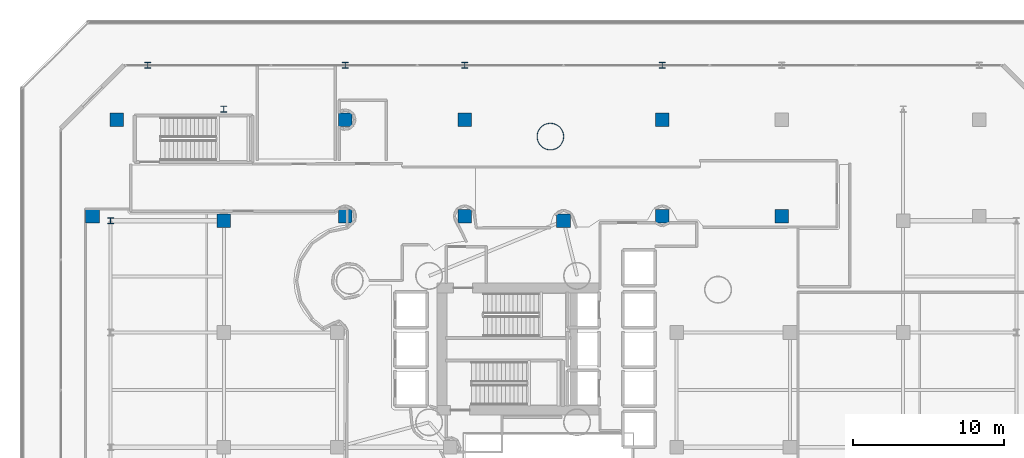
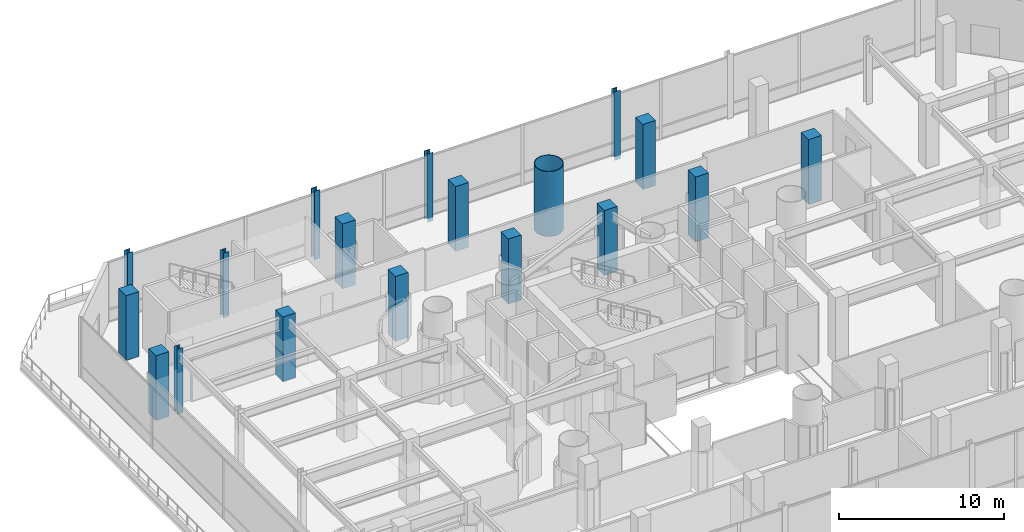
# One storey, part 3 of 39: 18 columns.
"""IFC4 building model written with IfcOpenShell, lengths in metres."""

import ifcopenshell
import ifcopenshell.guid

model = None  # the IFC model being written
_history = None  # IfcOwnerHistory: only IFC2X3 demands one
_inside = {}  # id of a spatial element -> (the spatial element, [elements in it])
_under = {}  # id of a project, library or spatial element -> (it, [spatial elements below it])
_declared = {}  # id of a project -> (the project, [libraries it declares])
_typed = {}  # id of a type object -> (the type object, [elements of that type])
_made_of = {}  # id of a material, layer set ... -> (it, [elements and type objects made of it])


def new_model(schema):
    """Start an empty IFC model of exactly this schema.

    Asked for "IFC4X3", IfcOpenShell would pick the latest addendum, in which some entities
    have other attributes; the version numbers below select the first issue.
    IFC2X3 requires an IfcOwnerHistory on every rooted entity: one is made here for all.
    """
    global model, _history
    if schema == "IFC4X3":
        model = ifcopenshell.file(schema_version=(4, 3, 0, 0))
    else:
        model = ifcopenshell.file(schema=schema)
    _inside.clear()
    _under.clear()
    _declared.clear()
    _typed.clear()
    _made_of.clear()
    _history = None
    if model.schema == "IFC2X3":
        org = make("IfcOrganization", Name="unknown")
        user = make(
            "IfcPersonAndOrganization",
            ThePerson=make("IfcPerson", FamilyName="unknown"),
            TheOrganization=org,
        )
        app = make(
            "IfcApplication",
            ApplicationDeveloper=org,
            Version="unknown",
            ApplicationFullName="unknown",
            ApplicationIdentifier="unknown",
        )
        _history = make(
            "IfcOwnerHistory",
            OwningUser=user,
            OwningApplication=app,
            ChangeAction="ADDED",
            CreationDate=0,
        )
    return model


def make(cls, **values):
    """One entity of the class cls with the attributes given. An attribute that is None is left unset."""
    return model.create_entity(
        cls, **{name: value for name, value in values.items() if value is not None}
    )


def rooted(cls, **values):
    """An entity with a GlobalId (a new one), such as an element, a storey or a relation."""
    return make(cls, GlobalId=ifcopenshell.guid.new(), OwnerHistory=_history, **values)


def si_unit(unit_type, name, prefix=None):
    """IfcSIUnit, for example si_unit("LENGTHUNIT", "METRE", prefix="MILLI")."""
    return make("IfcSIUnit", UnitType=unit_type, Prefix=prefix, Name=name)


def assignment(units):
    """IfcUnitAssignment: the units of a project."""
    return None if units is None else make("IfcUnitAssignment", Units=units)


def point(xyz):
    """IfcCartesianPoint."""
    return None if xyz is None else make("IfcCartesianPoint", Coordinates=xyz)


def direction(xyz):
    """IfcDirection."""
    return None if xyz is None else make("IfcDirection", DirectionRatios=xyz)


def frame(location, z_axis=None, x_axis=None):
    """IfcAxis2Placement3D, a coordinate frame: its origin and axes. An axis left out is left unset."""
    return make(
        "IfcAxis2Placement3D",
        Location=point(location),
        Axis=direction(z_axis),
        RefDirection=direction(x_axis),
    )


def frame_2d(location, x_axis=None):
    """IfcAxis2Placement2D, a coordinate frame in the plane: its origin and x axis."""
    return make(
        "IfcAxis2Placement2D", Location=point(location), RefDirection=direction(x_axis)
    )


def origin():
    """The frame at (0, 0, 0) with its axes left unset."""
    return frame((0.0, 0.0, 0.0))


def origin_2d():
    """The frame at (0, 0) in the plane with its x axis left unset."""
    return frame_2d((0.0, 0.0))


def place(relative_to, where):
    """IfcLocalPlacement: puts the frame where relative to a parent placement (None: the world)."""
    return make(
        "IfcLocalPlacement", PlacementRelTo=relative_to, RelativePlacement=where
    )


def context(
    kind, dimensions, precision=None, world=None, true_north=None, identifier=None
):
    """IfcGeometricRepresentationContext, for example the 3D "Model" context."""
    return make(
        "IfcGeometricRepresentationContext",
        ContextIdentifier=identifier,
        ContextType=kind,
        CoordinateSpaceDimension=dimensions,
        Precision=precision,
        WorldCoordinateSystem=world,
        TrueNorth=true_north,
    )


def subcontext(parent, identifier, kind, view, scale=None):
    """IfcGeometricRepresentationSubContext, for example "Body" below "Model"."""
    return make(
        "IfcGeometricRepresentationSubContext",
        ContextIdentifier=identifier,
        ContextType=kind,
        ParentContext=parent,
        TargetScale=scale,
        TargetView=view,
    )


def project(units=None, contexts=None):
    """IfcProject with its units and contexts."""
    return rooted(
        "IfcProject",
        Name="project",
        RepresentationContexts=contexts,
        UnitsInContext=assignment(units),
    )


def spatial(cls, under=None, at=None, **own):
    """A site, building, storey or space (cls), placed at a placement, below another one or the project."""
    s = rooted(cls, ObjectPlacement=at, **own)
    if under is not None:
        _under.setdefault(under.id(), (under, []))[1].append(s)
    return s


def profile(cls, at=None, kind="AREA", **sizes):
    """A parametric profile (cls). Its sizes go by their IFC names, for example OverallWidth=200.0."""
    return make(cls, ProfileType=kind, Position=at, **sizes)


def rectangle(**sizes):
    """IfcRectangleProfileDef."""
    return profile("IfcRectangleProfileDef", **sizes)


def hollow_circle(**sizes):
    """IfcCircleHollowProfileDef."""
    return profile("IfcCircleHollowProfileDef", **sizes)


def i_section(**sizes):
    """IfcIShapeProfileDef."""
    return profile("IfcIShapeProfileDef", **sizes)


def extrude(swept, where, along, depth):
    """IfcExtrudedAreaSolid: the profile swept, set in the frame where, extruded along a direction by depth."""
    return make(
        "IfcExtrudedAreaSolid",
        SweptArea=swept,
        Position=where,
        ExtrudedDirection=direction(along),
        Depth=depth,
    )


def shape(context_of_items, identifier, shape_type, items):
    """IfcShapeRepresentation: the items that make up one representation, for example the "Body"."""
    return make(
        "IfcShapeRepresentation",
        ContextOfItems=context_of_items,
        RepresentationIdentifier=identifier,
        RepresentationType=shape_type,
        Items=items,
    )


def material(Name=None, Category=None):
    """IfcMaterial."""
    return make("IfcMaterial", Name=Name, Category=Category)


def material_profile(
    of_material, cross_section, Name=None, Category=None, Priority=None
):
    """IfcMaterialProfile: a cross section and its material."""
    return make(
        "IfcMaterialProfile",
        Name=Name,
        Material=of_material,
        Profile=cross_section,
        Priority=Priority,
        Category=Category,
    )


def profile_set(profiles, Name=None, composite=None):
    """IfcMaterialProfileSet."""
    return make(
        "IfcMaterialProfileSet",
        Name=Name,
        MaterialProfiles=profiles,
        CompositeProfile=composite,
    )


def made_of(thing, what):
    """Note that an element or type object is made of a material, layer set ...; save() writes the relation."""
    if what is not None:
        _made_of.setdefault(what.id(), (what, []))[1].append(thing)
    return thing


def type_object(cls, material=None, **own):
    """A type object (cls), such as IfcWallType, which elements share."""
    return made_of(rooted(cls, **own), material)


def element(
    cls,
    number,
    at=None,
    inside=None,
    cuts=None,
    type_object=None,
    material=None,
    context=None,
    identifier="Body",
    shape_type=None,
    held_by="IfcProductDefinitionShape",
    body=None,
    shapes=None,
    **own,
):
    """One element of the class cls, such as IfcWall. Its Tag is "e" and its number.

    at: its placement. inside: the storey or other place that contains it. cuts: it is an
    opening in that element (IfcRelVoidsElement). A single representation is given by context,
    identifier, shape_type and body (its items); several are given by shapes. held_by: the class
    of the entity that holds the representations. save() writes the other relations.
    """
    e = rooted(cls, Tag="e%d" % number, ObjectPlacement=at, **own)
    if body is not None:
        shapes = [shape(context, identifier, shape_type, body)]
    if shapes is not None:
        e.Representation = make(held_by, Representations=shapes)
    if inside is not None:
        _inside.setdefault(inside.id(), (inside, []))[1].append(e)
    if cuts is not None:
        rooted(
            "IfcRelVoidsElement", RelatingBuildingElement=cuts, RelatedOpeningElement=e
        )
    if type_object is not None:
        _typed.setdefault(type_object.id(), (type_object, []))[1].append(e)
    return made_of(e, material)


def aggregate(whole, parts):
    """IfcRelAggregates: a whole, such as a stair, and the parts it consists of."""
    return rooted("IfcRelAggregates", RelatingObject=whole, RelatedObjects=parts)


def save(model, path):
    """Write the relations noted so far, then the file.

    IfcRelAggregates (storeys below a building ...), IfcRelContainedInSpatialStructure (elements
    in a storey), IfcRelDefinesByType, IfcRelAssociatesMaterial and IfcRelDeclares: one each for
    every whole, place, type object, material and project.
    """
    for whole, parts in _under.values():
        aggregate(whole, parts)
    for where, things in _inside.values():
        rooted(
            "IfcRelContainedInSpatialStructure",
            RelatedElements=things,
            RelatingStructure=where,
        )
    for kind, things in _typed.values():
        rooted("IfcRelDefinesByType", RelatedObjects=things, RelatingType=kind)
    for what, things in _made_of.values():
        rooted("IfcRelAssociatesMaterial", RelatedObjects=things, RelatingMaterial=what)
    for by, libraries in _declared.values():
        rooted("IfcRelDeclares", RelatingContext=by, RelatedDefinitions=libraries)
    model.write(path)


model = new_model("IFC4")

# Units and contexts
model_context = context("Model", 3, precision=1e-05, world=origin(), true_north=direction((0.0, 1.0)))
body_context = subcontext(model_context, "Body", "Model", "MODEL_VIEW")
ifc_project = project(units=[si_unit("LENGTHUNIT", "METRE"), si_unit("AREAUNIT", "SQUARE_METRE"), si_unit("VOLUMEUNIT", "CUBIC_METRE"), si_unit("PLANEANGLEUNIT", "RADIAN"), si_unit("MASSUNIT", "GRAM", prefix="KILO")], contexts=[model_context])

# Site, building, storey
site_placement = place(None, origin())
site = spatial("IfcSite", under=ifc_project, at=site_placement, CompositionType="ELEMENT")
building_placement = place(site_placement, origin())
building = spatial("IfcBuilding", under=site, at=building_placement, Name="Qianvela Tower", CompositionType="ELEMENT")
storey_placement = place(building_placement, frame((0.0, 0.0, 15.800048828125)))
storey = spatial("IfcBuildingStorey", under=building, at=storey_placement, Name="L03", CompositionType="ELEMENT", Elevation=15.800048828125)

# Columns
ifc_material_1 = material(Name="Steel Q420GJC", Category="steel")
ifc_material_profile_1 = material_profile(ifc_material_1, hollow_circle(Radius=0.89990234375, WallThickness=0.044921875, at=origin_2d()), Name="CFT-1800x45")
ifc_profile_set_1 = profile_set([ifc_material_profile_1], Name="Steel Q420GJC")
column_type_1 = type_object("IfcColumnType", Name="COL-CFT-1800x45", PredefinedType="COLUMN", material=ifc_profile_set_1)
column_placement = place(storey_placement, frame((36.632080078125, 42.778076171875, 0.0), z_axis=(0.0, 0.0, 1.0), x_axis=(1.0, 0.0, 0.0)))
element("IfcColumn", 1, at=column_placement, inside=storey, type_object=column_type_1, Name="L03 Tower Base CFT Mega-Column C3", PredefinedType="COLUMN", context=body_context, shape_type="SweptSolid", body=[
    extrude(hollow_circle(Radius=0.89990234375, WallThickness=0.044921875, at=origin_2d()), origin(), (0.0, 0.0, 1.0), 4.800048828125),
])
ifc_material_2 = material(Name="Steel Q355B", Category="steel")
ifc_material_profile_2 = material_profile(ifc_material_2, i_section(OverallWidth=0.39990234375, OverallDepth=0.39990234375, WebThickness=0.012939453125, FlangeThickness=0.02099609375, at=origin_2d()), Name="HW400x400x13x21")
ifc_profile_set_2 = profile_set([ifc_material_profile_2], Name="Steel Q355B")
column_type_2 = type_object("IfcColumnType", Name="COL-HW-400", PredefinedType="COLUMN", material=ifc_profile_set_2)
for number, where, z_axis, x_axis, name in (
    (2, (7.5, 37.199951171875, 0.0), (0.0, 0.0, 1.0), (1.0, 0.0, 0.0), "L03 Podium Grid Column P04"),
    (3, (15.0, 44.60009765625, 0.0), (0.0, 0.0, 1.0), (1.0, 0.0, 0.0), "L03 Podium Grid Column P10"),
):
    element("IfcColumn", number, at=place(storey_placement, frame(where, z_axis=z_axis, x_axis=x_axis)), inside=storey, type_object=column_type_2, Name=name, PredefinedType="COLUMN", context=body_context, shape_type="SweptSolid", body=[
        extrude(i_section(OverallWidth=0.39990234375, OverallDepth=0.39990234375, WebThickness=0.012939453125, FlangeThickness=0.02099609375, at=origin_2d()), origin(), (0.0, 0.0, 1.0), 4.800048828125),
    ])
for number, where, z_axis, x_axis, name in (
    (4, (9.955322265625, 47.5, -0.27001953125), (0.0, 0.0, 1.0), (1.0, 0.0, 0.0), "L03 V-Column Transfer Post VC-N1-L"),
    (5, (23.044677734375, 47.5, -0.27001953125), (0.0, 0.0, 1.0), (1.0, 0.0, 0.0), "L03 V-Column Transfer Post VC-N1-R"),
    (6, (30.955322265625, 47.5, -0.27001953125), (0.0, 0.0, 1.0), (1.0, 0.0, 0.0), "L03 V-Column Transfer Post VC-N2-L"),
    (7, (44.044677734375, 47.5, -0.27001953125), (0.0, 0.0, 1.0), (1.0, 0.0, 0.0), "L03 V-Column Transfer Post VC-N2-R"),
):
    element("IfcColumn", number, at=place(storey_placement, frame(where, z_axis=z_axis, x_axis=x_axis)), inside=storey, type_object=column_type_2, Name=name, PredefinedType="COLUMN", context=body_context, shape_type="SweptSolid", body=[
        extrude(i_section(OverallWidth=0.39990234375, OverallDepth=0.39990234375, WebThickness=0.012939453125, FlangeThickness=0.02099609375, at=origin_2d()), origin(), (0.0, 0.0, 1.0), 5.070068359375),
    ])
ifc_material_3 = material(Name="Concrete C60", Category="concrete")
ifc_material_profile_3 = material_profile(ifc_material_3, rectangle(XDim=0.89990234375, YDim=0.89990234375, at=origin_2d()), Name="RC-COL-900x900")
ifc_profile_set_3 = profile_set([ifc_material_profile_3], Name="Concrete C60")
column_type_3 = type_object("IfcColumnType", Name="COL-RC-900", PredefinedType="COLUMN", material=ifc_profile_set_3)
for number, where, z_axis, x_axis, name in (
    (8, (7.89990234375, 43.89990234375, 0.0), (0.0, 0.0, 1.0), (1.0, 0.0, 0.0), "L03 Concourse Colonnade Column VC-N1-L-B1"),
    (9, (6.300048828125, 37.5, 0.0), (0.0, 0.0, 1.0), (1.0, 0.0, 0.0), "L03 Concourse Colonnade Column VC-N1-L-B2"),
    (10, (23.044677734375, 43.89990234375, 0.0), (0.0, 0.0, 1.0), (1.0, 0.0, 0.0), "L03 Concourse Colonnade Column VC-N1-R-B1"),
    (11, (23.044677734375, 37.5, 0.0), (0.0, 0.0, 1.0), (1.0, 0.0, 0.0), "L03 Concourse Colonnade Column VC-N1-R-B2"),
    (12, (30.955322265625, 43.89990234375, 0.0), (0.0, 0.0, 1.0), (1.0, 0.0, 0.0), "L03 Concourse Colonnade Column VC-N2-L-B1"),
    (13, (30.955322265625, 37.5, 0.0), (0.0, 0.0, 1.0), (1.0, 0.0, 0.0), "L03 Concourse Colonnade Column VC-N2-L-B2"),
    (14, (44.044677734375, 43.89990234375, 0.0), (0.0, 0.0, 1.0), (1.0, 0.0, 0.0), "L03 Concourse Colonnade Column VC-N2-R-B1"),
    (15, (44.044677734375, 37.5, 0.0), (0.0, 0.0, 1.0), (1.0, 0.0, 0.0), "L03 Concourse Colonnade Column VC-N2-R-B2"),
    (16, (51.955322265625, 37.5, 0.0), (0.0, 0.0, 1.0), (1.0, 0.0, 0.0), "L03 Concourse Colonnade Column VC-N3-L-B2"),
    (17, (15.0, 37.199951171875, 0.0), (0.0, 0.0, 1.0), (1.0, 0.0, 0.0), "L03 Podium Grid Column P09"),
    (18, (37.5, 37.199951171875, 0.0), (0.0, 0.0, 1.0), (1.0, 0.0, 0.0), "L03 Podium Grid Column P24"),
):
    element("IfcColumn", number, at=place(storey_placement, frame(where, z_axis=z_axis, x_axis=x_axis)), inside=storey, type_object=column_type_3, Name=name, PredefinedType="COLUMN", context=body_context, shape_type="SweptSolid", body=[
        extrude(rectangle(XDim=0.89990234375, YDim=0.89990234375, at=origin_2d()), origin(), (0.0, 0.0, 1.0), 4.800048828125),
    ])

save(model, "model.ifc")
